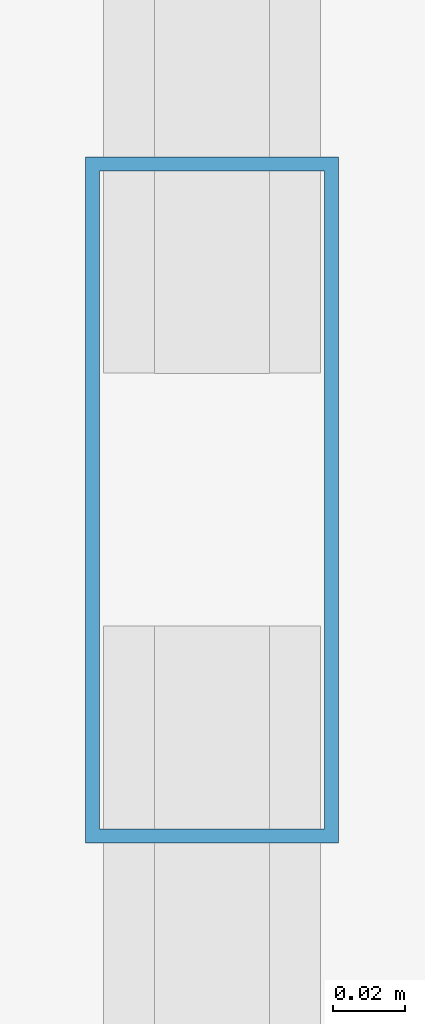
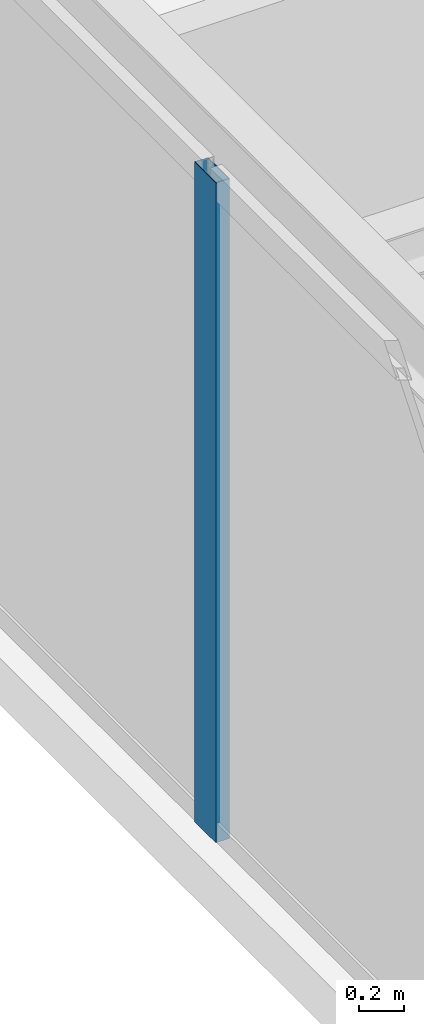
# One storey, part 10 of 37: 1 member, 1 element without a shape of its own.
"""IFC4 building model written with IfcOpenShell, lengths in metres."""

from ifc_helpers import new_model, si_unit, direction, frame, origin, origin_2d, place, context, subcontext, project, spatial, hollow_rectangle, extrude, source, transform, mapped, material, layer, layer_set, material_profile, profile_set, type_object, type_shapes, element, aggregate, save


model = new_model("IFC4")

# Units and contexts
model_context = context("Model", 3, precision=1e-05, world=origin(), true_north=direction((0.0, 1.0)))
body_context = subcontext(model_context, "Body", "Model", "MODEL_VIEW")
ifc_project = project(units=[si_unit("LENGTHUNIT", "METRE"), si_unit("AREAUNIT", "SQUARE_METRE"), si_unit("VOLUMEUNIT", "CUBIC_METRE"), si_unit("PLANEANGLEUNIT", "RADIAN"), si_unit("MASSUNIT", "GRAM", prefix="KILO")], contexts=[model_context])

# Site, building, storey
site_placement = place(None, origin())
site = spatial("IfcSite", under=ifc_project, at=site_placement, CompositionType="ELEMENT")
building_placement = place(site_placement, origin())
building = spatial("IfcBuilding", under=site, at=building_placement, Name="Varnel Quay Broadcast Tower", CompositionType="ELEMENT")
storey_placement = place(building_placement, frame((0.0, 0.0, 125.800048828125)))
storey = spatial("IfcBuildingStorey", under=building, at=storey_placement, Name="L30", CompositionType="ELEMENT", Elevation=125.800048828125)

# Curtain wall, member
ifc_material = material(Name="Anodised Bronze Aluminium 6063-T6", Category="aluminium")
ifc_layer = layer(ifc_material, 0.18994140625, Name="Anodised Bronze Aluminium 6063-T6")
ifc_layer_set = layer_set([ifc_layer], Name="Anodised Bronze Aluminium 6063-T6")
curtain_wall_type = type_object("IfcCurtainWallType", Name="CW_LowerTower", PredefinedType="NOTDEFINED", material=ifc_layer_set)
curtain_wall_placement = place(storey_placement, origin())
curtain_wall = element("IfcCurtainWall", 1, at=curtain_wall_placement, inside=storey, type_object=curtain_wall_type, Name="L30 West Unitised Curtain Wall", PredefinedType="NOTDEFINED")
ifc_material_profile = material_profile(ifc_material, hollow_rectangle(XDim=0.070068359375, YDim=0.18994140625, WallThickness=0.00390625, at=origin_2d()), Name="ALU70X190X4")
ifc_profile_set = profile_set([ifc_material_profile], Name="Anodised Bronze Aluminium 6063-T6")
member_type = type_object("IfcMemberType", Name="Mull_CWS-02", PredefinedType="MULLION", material=ifc_profile_set)
shared_shape = source(origin(), body_context, "Body", "SweptSolid", [
    extrude(hollow_rectangle(XDim=0.070068359375, YDim=0.18994140625, WallThickness=0.00390625, at=origin_2d()), origin(), (0.0, 0.0, 1.0), 3.550048828125),
])
type_shapes(member_type, [shared_shape])
member_placement = place(storey_placement, frame((4.64990234375, 31.39990234375, 0.0), z_axis=(0.0, 0.0, 1.0), x_axis=(-1.0, 0.0, 0.0)))
member = element("IfcMember", 2, at=member_placement, type_object=member_type, Name="CWS-02 mullion 3", PredefinedType="MULLION", context=body_context, shape_type="MappedRepresentation", body=[
    mapped(shared_shape, transform((0.0, 0.0, 0.0), x_axis=(1.0, 0.0, 0.0), y_axis=(0.0, 1.0, 0.0), z_axis=(0.0, 0.0, 1.0), scale=1.0)),
])
aggregate(curtain_wall, [member])

save(model, "model.ifc")
